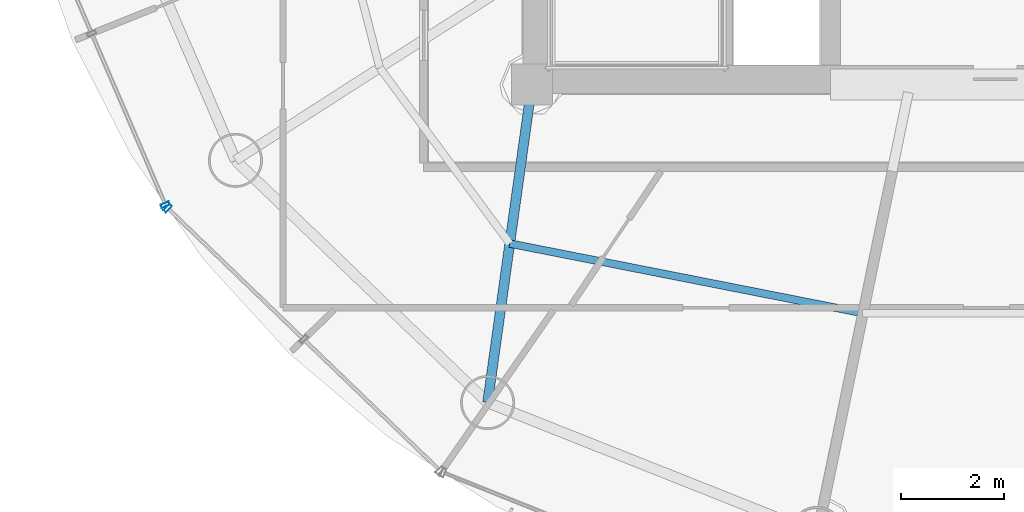
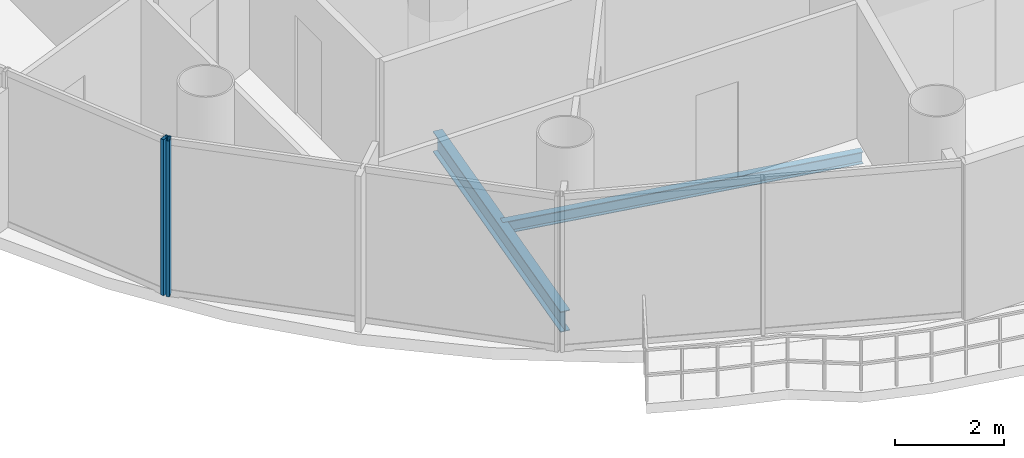
# One storey, part 3 of 23: 2 beams, 2 members, 2 elements without a shape of their own.
"""IFC4 building model written with IfcOpenShell, lengths in metres."""

from ifc_helpers import new_model, si_unit, direction, frame, origin, origin_2d, place, context, subcontext, project, spatial, hollow_rectangle, i_section, extrude, source, transform, mapped, material, material_profile, profile_set, type_object, element, aggregate, save


model = new_model("IFC4")

# Units and contexts
model_context = context("Model", 3, precision=1e-05, world=origin(), true_north=direction((-0.2419218956, 0.970295726276)))
body_context = subcontext(model_context, "Body", "Model", "MODEL_VIEW")
ifc_project = project(units=[si_unit("LENGTHUNIT", "METRE"), si_unit("AREAUNIT", "SQUARE_METRE"), si_unit("VOLUMEUNIT", "CUBIC_METRE"), si_unit("PLANEANGLEUNIT", "RADIAN"), si_unit("MASSUNIT", "GRAM", prefix="KILO")], contexts=[model_context])

# Site, building, storey
site_placement = place(None, origin())
site = spatial("IfcSite", under=ifc_project, at=site_placement, CompositionType="ELEMENT")
building_placement = place(site_placement, origin())
building = spatial("IfcBuilding", under=site, at=building_placement, Name="Cobrevalo Terracotta Tower", CompositionType="ELEMENT")
storey_placement = place(building_placement, frame((0.0, 0.0, 259.449951171875)))
storey = spatial("IfcBuildingStorey", under=building, at=storey_placement, Name="L68", CompositionType="ELEMENT", Elevation=259.449951171875)

# Beams
ifc_material_1 = material(Name="Steel S355", Category="steel")
ifc_material_profile_1 = material_profile(ifc_material_1, i_section(OverallWidth=0.19091796875, OverallDepth=0.4599609375, WebThickness=0.010009765625, FlangeThickness=0.01611328125, at=origin_2d()), Name="W 460x82")
ifc_profile_set_1 = profile_set([ifc_material_profile_1], Name="Steel S355")
beam_type_1 = type_object("IfcBeamType", Name="Structural Beam W 460x82 (Steel S355)", PredefinedType="BEAM", material=ifc_profile_set_1)
beam_1_placement = place(storey_placement, frame((28.138671875, 12.62353515625, -0.489990234375), z_axis=(0.138115657759, 0.990416107039, 0.0), x_axis=(-0.990416107039, 0.138115657759, 0.0)))
element("IfcBeam", 1, at=beam_1_placement, inside=storey, type_object=beam_type_1, Name="L68 radial floor girder 11", PredefinedType="BEAM", context=body_context, shape_type="SweptSolid", body=[
    extrude(i_section(OverallWidth=0.19091796875, OverallDepth=0.4599609375, WebThickness=0.010009765625, FlangeThickness=0.01611328125, at=origin_2d()), origin(), (0.0, 0.0, 1.0), 6.236328125),
])
ifc_material_profile_2 = material_profile(ifc_material_1, i_section(OverallWidth=0.14794921875, OverallDepth=0.26611328125, WebThickness=0.007568359375, FlangeThickness=0.012939453125, at=origin_2d()), Name="W 250x44.8")
ifc_profile_set_2 = profile_set([ifc_material_profile_2], Name="Steel S355")
beam_type_2 = type_object("IfcBeamType", Name="Structural Joist W 250x44.8 (Steel S355)", PredefinedType="JOIST", material=ifc_profile_set_2)
beam_2_placement = place(storey_placement, frame((28.5693359375, 15.711669921875, -0.39306640625), z_axis=(0.981145060421, -0.193272787563, 0.0), x_axis=(0.193272787563, 0.981145060421, 0.0)))
element("IfcBeam", 2, at=beam_2_placement, inside=storey, type_object=beam_type_2, Name="L68 circumferential secondary floor joist 11", PredefinedType="JOIST", context=body_context, shape_type="SweptSolid", body=[
    extrude(i_section(OverallWidth=0.14794921875, OverallDepth=0.26611328125, WebThickness=0.007568359375, FlangeThickness=0.012939453125, at=origin_2d()), origin(), (0.0, 0.0, 1.0), 6.98681640625),
])

# Curtain wall, member
ifc_material_2 = material(Name="Anodized aluminium", Category="aluminium")
curtain_wall_type = type_object("IfcCurtainWallType", Name="Upper-tower triple-glazed penthouse curtain wall CW-U3", PredefinedType="NOTDEFINED", material=ifc_material_2)
curtain_wall_1_placement = place(storey_placement, origin())
curtain_wall_1 = element("IfcCurtainWall", 3, at=curtain_wall_1_placement, inside=storey, type_object=curtain_wall_type, Name="L68 curtain wall CW-L68-S09", PredefinedType="NOTDEFINED")
ifc_material_profile_3 = material_profile(ifc_material_2, hollow_rectangle(XDim=0.070068359375, YDim=0.169921875, WallThickness=0.00439453125, at=origin_2d()), Name="CWM 70x170")
ifc_profile_set_3 = profile_set([ifc_material_profile_3], Name="Anodized aluminium")
member_type = type_object("IfcMemberType", Name="Upper tower unitised mullion 70x170", PredefinedType="MULLION", material=ifc_profile_set_3)
shared_shape = source(origin(), body_context, "Body", "SweptSolid", [
    extrude(hollow_rectangle(XDim=0.070068359375, YDim=0.169921875, WallThickness=0.00439453125, at=origin_2d()), origin(), (0.0, 0.0, 1.0), 3.489990234375),
])
member_1_placement = place(storey_placement, frame((21.878662109375, 16.46435546875, 0.0), z_axis=(0.0, 0.0, 1.0), x_axis=(0.39482403454, -0.91875675875, 0.0)))
member_1 = element("IfcMember", 4, at=member_1_placement, type_object=member_type, Name="CW-L68-S09 vertical mullion 03", PredefinedType="MULLION", context=body_context, shape_type="MappedRepresentation", body=[
    mapped(shared_shape, transform((0.0, 0.0, 0.0), scale=1.0)),
])
aggregate(curtain_wall_1, [member_1])

curtain_wall_2_placement = place(storey_placement, origin())
curtain_wall_2 = element("IfcCurtainWall", 5, at=curtain_wall_2_placement, inside=storey, type_object=curtain_wall_type, Name="L68 curtain wall CW-L68-S10", PredefinedType="NOTDEFINED")
member_2_placement = place(storey_placement, frame((21.92333984375, 16.399658203125, 0.0), z_axis=(0.0, 0.0, 1.0), x_axis=(0.71999418085, -0.69398010025, 0.0)))
member_2 = element("IfcMember", 6, at=member_2_placement, type_object=member_type, Name="CW-L68-S10 vertical mullion 01", PredefinedType="MULLION", context=body_context, shape_type="MappedRepresentation", body=[
    mapped(shared_shape, transform((0.0, 0.0, 0.0), scale=1.0)),
])
aggregate(curtain_wall_2, [member_2])

save(model, "model.ifc")
